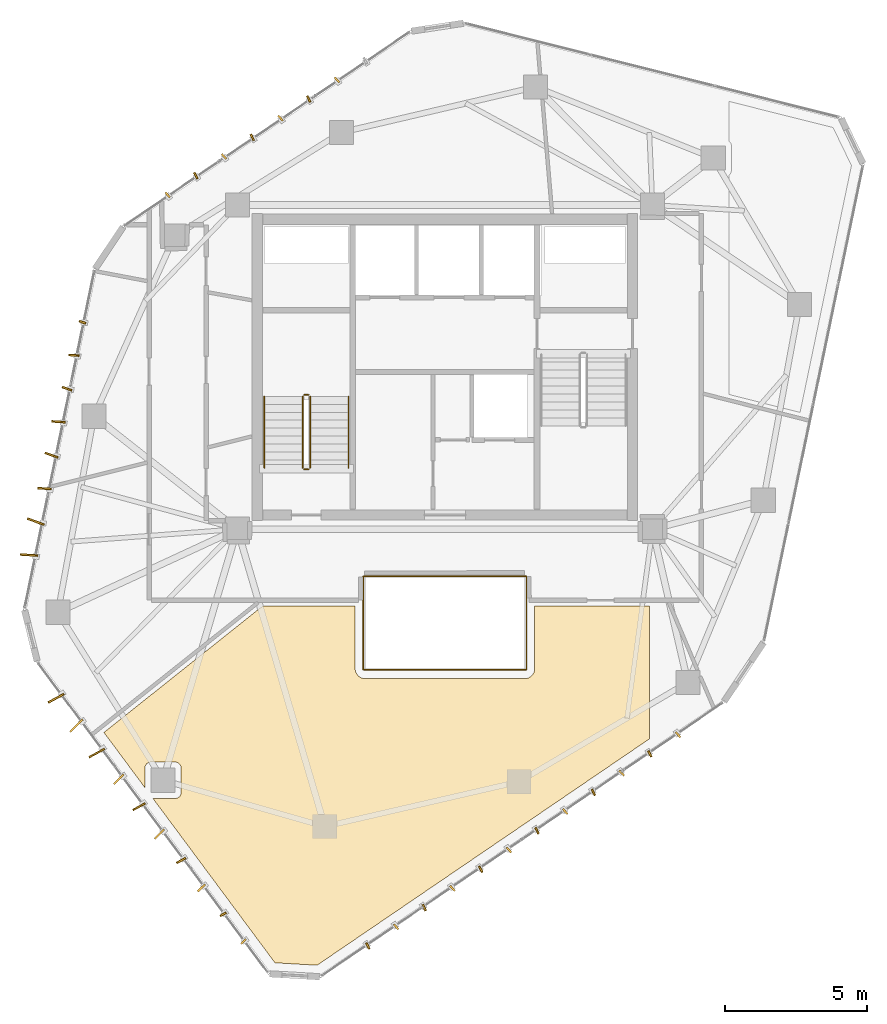
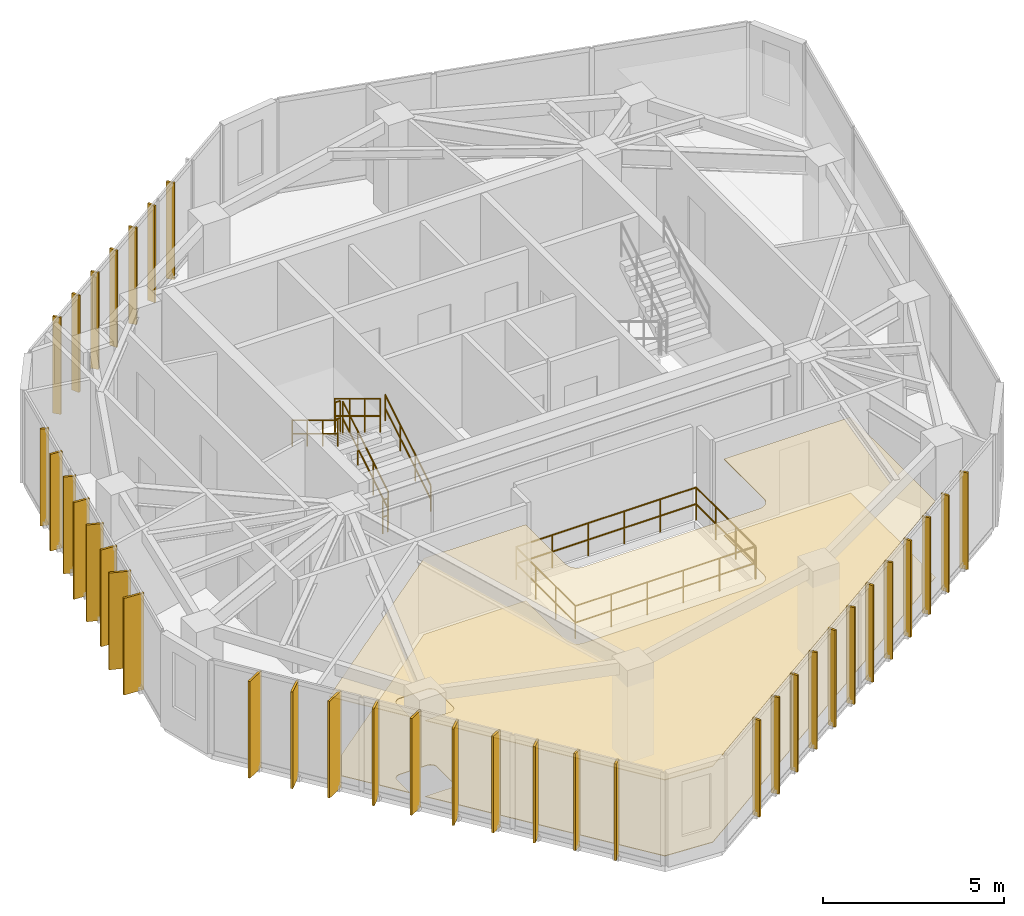
# One storey, part 19 of 20: 37 shading devices, 10 railings, 2 coverings.
"""IFC4 building model written with IfcOpenShell, lengths in metres."""

from ifc_helpers import new_model, si_unit, direction, frame, origin, origin_2d, place, context, subcontext, project, spatial, polyline, rectangle, circle, outline, extrude, source, transform, mapped, material, layer, layer_set, type_object, type_shapes, element, save


model = new_model("IFC4")

# Units and contexts
model_context = context("Model", 3, precision=1e-05, world=origin(), true_north=direction((0.0, 1.0)))
body_context = subcontext(model_context, "Body", "Model", "MODEL_VIEW")
ifc_project = project(units=[si_unit("LENGTHUNIT", "METRE"), si_unit("AREAUNIT", "SQUARE_METRE"), si_unit("VOLUMEUNIT", "CUBIC_METRE"), si_unit("PLANEANGLEUNIT", "RADIAN"), si_unit("MASSUNIT", "GRAM", prefix="KILO")], contexts=[model_context])

# Site, building, storey
site_placement = place(None, origin())
site = spatial("IfcSite", under=ifc_project, at=site_placement, CompositionType="ELEMENT")
building_placement = place(site_placement, origin())
building = spatial("IfcBuilding", under=site, at=building_placement, Name="Talar Marvaseh", CompositionType="ELEMENT")
storey_placement = place(building_placement, frame((0.0, 0.0, 244.199951171875)))
storey = spatial("IfcBuildingStorey", under=building, at=storey_placement, Name="L64", CompositionType="ELEMENT", Elevation=244.199951171875)

# Railings
ifc_material_1 = material(Name="Stainless Steel Grade 316", Category="steel")
railing_type_1 = type_object("IfcRailingType", Name="Brushed Stainless Wall Pitch Handrail 900", PredefinedType="HANDRAIL", material=ifc_material_1)
railing_1_placement = place(storey_placement, frame((22.610107421875, 27.64990234375, 0.170166015625)))
element("IfcRailing", 1, at=railing_1_placement, inside=storey, type_object=railing_type_1, Name="L64 ST-1 stair handrail 1", PredefinedType="HANDRAIL", context=body_context, shape_type="SweptSolid", body=[
    extrude(circle(Radius=0.02392578125, at=origin_2d()), frame((0.0, 0.0, 0.8759765625), z_axis=(0.0, 0.854821627497, 0.518921945155), x_axis=(-1.0, 0.0, 0.0)), (0.0, 0.0, 1.0), 2.947998046875),
    extrude(circle(Radius=0.02392578125, at=origin_2d()), frame((0.0, 0.0, 0.42578125), z_axis=(0.0, 0.854821627497, 0.518921945155), x_axis=(-1.0, 0.0, 0.0)), (0.0, 0.0, 1.0), 2.947998046875),
    extrude(circle(Radius=0.02099609375, at=origin_2d()), origin(), (0.0, 0.0, 1.0), 0.851806640625),
    extrude(circle(Radius=0.02099609375, at=origin_2d()), frame((0.0, 0.840087890625, 0.510009765625)), (0.0, 0.0, 1.0), 0.851806640625),
    extrude(circle(Radius=0.02099609375, at=origin_2d()), frame((0.0, 1.679931640625, 1.019775390625)), (0.0, 0.0, 1.0), 0.851806640625),
    extrude(circle(Radius=0.02099609375, at=origin_2d()), frame((0.0, 2.52001953125, 1.52978515625)), (0.0, 0.0, 1.0), 0.851806640625),
])
railing_2_placement = place(storey_placement, frame((19.64990234375, 30.169921875, 1.8701171875)))
element("IfcRailing", 2, at=railing_2_placement, inside=storey, type_object=railing_type_1, Name="L64 ST-1 stair handrail 2", PredefinedType="HANDRAIL", context=body_context, shape_type="SweptSolid", body=[
    extrude(circle(Radius=0.02392578125, at=origin_2d()), frame((0.0, 0.0, 0.8759765625), z_axis=(0.0, -0.85478489116, 0.518982456201), x_axis=(1.0, 0.0, 0.0)), (0.0, 0.0, 1.0), 2.9482421875),
    extrude(circle(Radius=0.02392578125, at=origin_2d()), frame((0.0, 0.0, 0.42578125), z_axis=(0.0, -0.85478489116, 0.518982456201), x_axis=(1.0, 0.0, 0.0)), (0.0, 0.0, 1.0), 2.9482421875),
    extrude(circle(Radius=0.02099609375, at=origin_2d()), origin(), (0.0, 0.0, 1.0), 0.851806640625),
    extrude(circle(Radius=0.02099609375, at=origin_2d()), frame((0.0, -0.840087890625, 0.510009765625)), (0.0, 0.0, 1.0), 0.851806640625),
    extrude(circle(Radius=0.02099609375, at=origin_2d()), frame((0.0, -1.679931640625, 1.02001953125)), (0.0, 0.0, 1.0), 0.851806640625),
    extrude(circle(Radius=0.02099609375, at=origin_2d()), frame((0.0, -2.52001953125, 1.530029296875)), (0.0, 0.0, 1.0), 0.851806640625),
])
ifc_material_2 = material(Name="Tempered Clear Glass", Category="glass")
railing_type_2 = type_object("IfcRailingType", Name="Interior Atrium Edge Balustrade 1120", PredefinedType="BALUSTRADE", material=ifc_material_2)
railing_3_placement = place(storey_placement, frame((23.130615234375, 20.560302734375, 0.0)))
element("IfcRailing", 3, at=railing_3_placement, inside=storey, type_object=railing_type_2, Name="L64 Internal Daylight Atrium Balustrade 1", PredefinedType="BALUSTRADE", context=body_context, shape_type="SweptSolid", body=[
    extrude(circle(Radius=0.02392578125, at=origin_2d()), frame((0.0, 0.0, 1.09619140625), z_axis=(1.0, 0.0, 0.0), x_axis=(0.0, 1.0, 0.0)), (0.0, 0.0, 1.0), 5.73876953125),
    extrude(circle(Radius=0.02392578125, at=origin_2d()), frame((0.0, 0.0, 0.5361328125), z_axis=(1.0, 0.0, 0.0), x_axis=(0.0, 1.0, 0.0)), (0.0, 0.0, 1.0), 5.73876953125),
    extrude(circle(Radius=0.02099609375, at=origin_2d()), origin(), (0.0, 0.0, 1.0), 1.072021484375),
    extrude(circle(Radius=0.02099609375, at=origin_2d()), frame((1.147705078125, 0.0, 0.0)), (0.0, 0.0, 1.0), 1.072021484375),
    extrude(circle(Radius=0.02099609375, at=origin_2d()), frame((2.29541015625, 0.0, 0.0)), (0.0, 0.0, 1.0), 1.072021484375),
    extrude(circle(Radius=0.02099609375, at=origin_2d()), frame((3.443359375, 0.0, 0.0)), (0.0, 0.0, 1.0), 1.072021484375),
    extrude(circle(Radius=0.02099609375, at=origin_2d()), frame((4.591064453125, 0.0, 0.0)), (0.0, 0.0, 1.0), 1.072021484375),
    extrude(circle(Radius=0.02099609375, at=origin_2d()), frame((5.73876953125, 0.0, 0.0)), (0.0, 0.0, 1.0), 1.072021484375),
])
railing_4_placement = place(storey_placement, frame((28.869384765625, 20.560302734375, 0.0)))
element("IfcRailing", 4, at=railing_4_placement, inside=storey, type_object=railing_type_2, Name="L64 Internal Daylight Atrium Balustrade 2", PredefinedType="BALUSTRADE", context=body_context, shape_type="SweptSolid", body=[
    extrude(circle(Radius=0.02392578125, at=origin_2d()), frame((0.0, 0.0, 1.09619140625), z_axis=(0.0, 1.0, 0.0), x_axis=(-1.0, 0.0, 0.0)), (0.0, 0.0, 1.0), 3.279296875),
    extrude(circle(Radius=0.02392578125, at=origin_2d()), frame((0.0, 0.0, 0.5361328125), z_axis=(0.0, 1.0, 0.0), x_axis=(-1.0, 0.0, 0.0)), (0.0, 0.0, 1.0), 3.279296875),
    extrude(circle(Radius=0.02099609375, at=origin_2d()), origin(), (0.0, 0.0, 1.0), 1.072021484375),
    extrude(circle(Radius=0.02099609375, at=origin_2d()), frame((0.0, 1.093017578125, 0.0)), (0.0, 0.0, 1.0), 1.072021484375),
    extrude(circle(Radius=0.02099609375, at=origin_2d()), frame((0.0, 2.186279296875, 0.0)), (0.0, 0.0, 1.0), 1.072021484375),
    extrude(circle(Radius=0.02099609375, at=origin_2d()), frame((0.0, 3.279296875, 0.0)), (0.0, 0.0, 1.0), 1.072021484375),
])
railing_5_placement = place(storey_placement, frame((28.869384765625, 23.839599609375, 0.0)))
element("IfcRailing", 5, at=railing_5_placement, inside=storey, type_object=railing_type_2, Name="L64 Internal Daylight Atrium Balustrade 3", PredefinedType="BALUSTRADE", context=body_context, shape_type="SweptSolid", body=[
    extrude(circle(Radius=0.02392578125, at=origin_2d()), frame((0.0, 0.0, 1.09619140625), z_axis=(-1.0, 0.0, 0.0), x_axis=(0.0, -1.0, 0.0)), (0.0, 0.0, 1.0), 5.73876953125),
    extrude(circle(Radius=0.02392578125, at=origin_2d()), frame((0.0, 0.0, 0.5361328125), z_axis=(-1.0, 0.0, 0.0), x_axis=(0.0, -1.0, 0.0)), (0.0, 0.0, 1.0), 5.73876953125),
    extrude(circle(Radius=0.02099609375, at=origin_2d()), origin(), (0.0, 0.0, 1.0), 1.072021484375),
    extrude(circle(Radius=0.02099609375, at=origin_2d()), frame((-1.147705078125, 0.0, 0.0)), (0.0, 0.0, 1.0), 1.072021484375),
    extrude(circle(Radius=0.02099609375, at=origin_2d()), frame((-2.29541015625, 0.0, 0.0)), (0.0, 0.0, 1.0), 1.072021484375),
    extrude(circle(Radius=0.02099609375, at=origin_2d()), frame((-3.443359375, 0.0, 0.0)), (0.0, 0.0, 1.0), 1.072021484375),
    extrude(circle(Radius=0.02099609375, at=origin_2d()), frame((-4.591064453125, 0.0, 0.0)), (0.0, 0.0, 1.0), 1.072021484375),
    extrude(circle(Radius=0.02099609375, at=origin_2d()), frame((-5.73876953125, 0.0, 0.0)), (0.0, 0.0, 1.0), 1.072021484375),
])
railing_6_placement = place(storey_placement, frame((23.130615234375, 23.839599609375, 0.0)))
element("IfcRailing", 6, at=railing_6_placement, inside=storey, type_object=railing_type_2, Name="L64 Internal Daylight Atrium Balustrade 4", PredefinedType="BALUSTRADE", context=body_context, shape_type="SweptSolid", body=[
    extrude(circle(Radius=0.02392578125, at=origin_2d()), frame((0.0, 0.0, 1.09619140625), z_axis=(0.0, -1.0, 0.0), x_axis=(1.0, 0.0, 0.0)), (0.0, 0.0, 1.0), 3.279296875),
    extrude(circle(Radius=0.02392578125, at=origin_2d()), frame((0.0, 0.0, 0.5361328125), z_axis=(0.0, -1.0, 0.0), x_axis=(1.0, 0.0, 0.0)), (0.0, 0.0, 1.0), 3.279296875),
    extrude(circle(Radius=0.02099609375, at=origin_2d()), origin(), (0.0, 0.0, 1.0), 1.072021484375),
    extrude(circle(Radius=0.02099609375, at=origin_2d()), frame((0.0, -1.093017578125, 0.0)), (0.0, 0.0, 1.0), 1.072021484375),
    extrude(circle(Radius=0.02099609375, at=origin_2d()), frame((0.0, -2.186279296875, 0.0)), (0.0, 0.0, 1.0), 1.072021484375),
    extrude(circle(Radius=0.02099609375, at=origin_2d()), frame((0.0, -3.279296875, 0.0)), (0.0, 0.0, 1.0), 1.072021484375),
])
railing_type_3 = type_object("IfcRailingType", Name="Painted Steel Core Stair Well Guardrail 1150", PredefinedType="GUARDRAIL", material=ifc_material_1)
railing_7_placement = place(storey_placement, frame((21.260009765625, 27.64990234375, 0.170166015625)))
element("IfcRailing", 7, at=railing_7_placement, inside=storey, type_object=railing_type_3, Name="L64 ST-1 stair guard 1", PredefinedType="GUARDRAIL", context=body_context, shape_type="SweptSolid", body=[
    extrude(circle(Radius=0.02392578125, at=origin_2d()), frame((0.0, 0.0, 1.1259765625), z_axis=(0.0, 0.854821627497, 0.518921945155), x_axis=(-1.0, 0.0, 0.0)), (0.0, 0.0, 1.0), 2.947998046875),
    extrude(circle(Radius=0.02392578125, at=origin_2d()), frame((0.0, 0.0, 0.55078125), z_axis=(0.0, 0.854821627497, 0.518921945155), x_axis=(-1.0, 0.0, 0.0)), (0.0, 0.0, 1.0), 2.947998046875),
    extrude(circle(Radius=0.02099609375, at=origin_2d()), origin(), (0.0, 0.0, 1.0), 1.101806640625),
    extrude(circle(Radius=0.02099609375, at=origin_2d()), frame((0.0, 0.840087890625, 0.510009765625)), (0.0, 0.0, 1.0), 1.101806640625),
    extrude(circle(Radius=0.02099609375, at=origin_2d()), frame((0.0, 1.679931640625, 1.019775390625)), (0.0, 0.0, 1.0), 1.101806640625),
    extrude(circle(Radius=0.02099609375, at=origin_2d()), frame((0.0, 2.52001953125, 1.52978515625)), (0.0, 0.0, 1.0), 1.101806640625),
])
railing_8_placement = place(storey_placement, frame((21.2099609375, 30.219970703125, 1.699951171875)))
element("IfcRailing", 8, at=railing_8_placement, inside=storey, type_object=railing_type_3, Name="L64 ST-1 stair guard 2", PredefinedType="GUARDRAIL", context=body_context, shape_type="SweptSolid", body=[
    extrude(circle(Radius=0.02392578125, at=origin_2d()), frame((0.0, 0.0, 1.1259765625), z_axis=(-1.0, 0.0, 0.0), x_axis=(0.0, -1.0, 0.0)), (0.0, 0.0, 1.0), 0.159912109375),
    extrude(circle(Radius=0.02392578125, at=origin_2d()), frame((0.0, 0.0, 0.55078125), z_axis=(-1.0, 0.0, 0.0), x_axis=(0.0, -1.0, 0.0)), (0.0, 0.0, 1.0), 0.159912109375),
    extrude(circle(Radius=0.02099609375, at=origin_2d()), origin(), (0.0, 0.0, 1.0), 1.101806640625),
    extrude(circle(Radius=0.02099609375, at=origin_2d()), frame((-0.159912109375, 0.0, 0.0)), (0.0, 0.0, 1.0), 1.101806640625),
])
railing_9_placement = place(storey_placement, frame((21.0, 30.169921875, 1.8701171875)))
element("IfcRailing", 9, at=railing_9_placement, inside=storey, type_object=railing_type_3, Name="L64 ST-1 stair guard 3", PredefinedType="GUARDRAIL", context=body_context, shape_type="SweptSolid", body=[
    extrude(circle(Radius=0.02392578125, at=origin_2d()), frame((0.0, 0.0, 1.1259765625), z_axis=(0.0, -0.85478489116, 0.518982456201), x_axis=(1.0, 0.0, 0.0)), (0.0, 0.0, 1.0), 2.9482421875),
    extrude(circle(Radius=0.02392578125, at=origin_2d()), frame((0.0, 0.0, 0.55078125), z_axis=(0.0, -0.85478489116, 0.518982456201), x_axis=(1.0, 0.0, 0.0)), (0.0, 0.0, 1.0), 2.9482421875),
    extrude(circle(Radius=0.02099609375, at=origin_2d()), origin(), (0.0, 0.0, 1.0), 1.101806640625),
    extrude(circle(Radius=0.02099609375, at=origin_2d()), frame((0.0, -0.840087890625, 0.510009765625)), (0.0, 0.0, 1.0), 1.101806640625),
    extrude(circle(Radius=0.02099609375, at=origin_2d()), frame((0.0, -1.679931640625, 1.02001953125)), (0.0, 0.0, 1.0), 1.101806640625),
    extrude(circle(Radius=0.02099609375, at=origin_2d()), frame((0.0, -2.52001953125, 1.530029296875)), (0.0, 0.0, 1.0), 1.101806640625),
])
railing_10_placement = place(storey_placement, frame((21.2099609375, 27.60009765625, 0.0)))
element("IfcRailing", 10, at=railing_10_placement, inside=storey, type_object=railing_type_3, Name="L64 ST-1 stair guard 4", PredefinedType="GUARDRAIL", context=body_context, shape_type="SweptSolid", body=[
    extrude(circle(Radius=0.02392578125, at=origin_2d()), frame((0.0, 0.0, 1.1259765625), z_axis=(-1.0, 0.0, 0.0), x_axis=(0.0, -1.0, 0.0)), (0.0, 0.0, 1.0), 0.159912109375),
    extrude(circle(Radius=0.02392578125, at=origin_2d()), frame((0.0, 0.0, 0.55078125), z_axis=(-1.0, 0.0, 0.0), x_axis=(0.0, -1.0, 0.0)), (0.0, 0.0, 1.0), 0.159912109375),
    extrude(circle(Radius=0.02099609375, at=origin_2d()), origin(), (0.0, 0.0, 1.0), 1.101806640625),
    extrude(circle(Radius=0.02099609375, at=origin_2d()), frame((-0.159912109375, 0.0, 0.0)), (0.0, 0.0, 1.0), 1.101806640625),
])

# Coverings
ifc_material_3 = material(Name="Mineral Fibre Acoustic Ceiling")
ifc_layer_1 = layer(ifc_material_3, 0.02490234375)
ifc_layer_set_1 = layer_set([ifc_layer_1], Name="Mineral Fibre Acoustic Ceiling")
covering_type_1 = type_object("IfcCoveringType", Name="Perforated Mineral Fibre Acoustic Suspended Ceiling", PredefinedType="CEILING", material=ifc_layer_set_1)
covering_1_placement = place(storey_placement, frame((0.0, 0.0, 2.56005859375)))
element("IfcCovering", 11, at=covering_1_placement, inside=storey, type_object=covering_type_1, Name="L64 Hospitality Tea Pantry Acoustic Ceiling", PredefinedType="CEILING", context=body_context, shape_type="SweptSolid", body=[
    extrude(outline(polyline([(22.840087890625, 22.800048828125), (22.840087890625, 20.60009765625), (22.841064453125, 20.580322265625), (22.843994140625, 20.560791015625), (22.856201171875, 20.499755859375), (22.861572265625, 20.478515625), (22.869384765625, 20.457763671875), (22.87939453125, 20.43798828125), (22.8916015625, 20.419677734375), (22.937744140625, 20.357177734375), (22.9501953125, 20.342041015625), (22.964111328125, 20.328125), (22.9794921875, 20.315673828125), (22.995849609375, 20.3046875), (23.0361328125, 20.280517578125), (23.056396484375, 20.27001953125), (23.07763671875, 20.26171875), (23.099609375, 20.256103515625), (23.160888671875, 20.243896484375), (23.180419921875, 20.240966796875), (23.199951171875, 20.239990234375), (28.800048828125, 20.239990234375), (28.819580078125, 20.240966796875), (28.839111328125, 20.243896484375), (28.900390625, 20.256103515625), (28.919189453125, 20.2607421875), (28.937744140625, 20.267578125), (28.95556640625, 20.27587890625), (28.972412109375, 20.285888671875), (29.0244140625, 20.320556640625), (29.0400390625, 20.332275390625), (29.054443359375, 20.345458984375), (29.067626953125, 20.360107421875), (29.079345703125, 20.375732421875), (29.114013671875, 20.427490234375), (29.124267578125, 20.444580078125), (29.132568359375, 20.462158203125), (29.13916015625, 20.480712890625), (29.143798828125, 20.499755859375), (29.156005859375, 20.560791015625), (29.158935546875, 20.580322265625), (29.159912109375, 20.60009765625), (29.159912109375, 22.800048828125), (33.199951171875, 22.800048828125), (33.199951171875, 18.127197265625), (21.50439453125, 10.161376953125), (20.0234375, 10.247314453125), (15.7275390625, 16.032470703125), (16.522705078125, 16.032470703125), (16.5419921875, 16.033447265625), (16.5615234375, 16.0361328125), (16.58056640625, 16.041015625), (16.598876953125, 16.047607421875), (16.61669921875, 16.055908203125), (16.63330078125, 16.06591796875), (16.649169921875, 16.077392578125), (16.663818359375, 16.090576171875), (16.6767578125, 16.10498046875), (16.6884765625, 16.120849609375), (16.69873046875, 16.137451171875), (16.70703125, 16.1552734375), (16.7138671875, 16.173583984375), (16.718505859375, 16.1923828125), (16.721435546875, 16.2119140625), (16.72265625, 16.2314453125), (16.726806640625, 17.093505859375), (16.72607421875, 17.112060546875), (16.7236328125, 17.130615234375), (16.719482421875, 17.148681640625), (16.71337890625, 17.16650390625), (16.7060546875, 17.18359375), (16.697021484375, 17.199951171875), (16.686279296875, 17.215087890625), (16.67431640625, 17.2294921875), (16.6611328125, 17.24267578125), (16.646240234375, 17.256103515625), (16.632080078125, 17.26806640625), (16.61669921875, 17.2783203125), (16.6005859375, 17.287353515625), (16.58349609375, 17.294921875), (16.56591796875, 17.300537109375), (16.5478515625, 17.3046875), (16.529541015625, 17.30712890625), (16.510986328125, 17.30810546875), (15.650390625, 17.3037109375), (15.630859375, 17.302490234375), (15.611572265625, 17.299560546875), (15.592529296875, 17.294677734375), (15.57421875, 17.2880859375), (15.556396484375, 17.27978515625), (15.539794921875, 17.26953125), (15.524169921875, 17.2578125), (15.509521484375, 17.24462890625), (15.49658203125, 17.22998046875), (15.48486328125, 17.21435546875), (15.474853515625, 17.197509765625), (15.466552734375, 17.179931640625), (15.4599609375, 17.16162109375), (15.455078125, 17.142578125), (15.452392578125, 17.123046875), (15.451416015625, 17.103515625), (15.451416015625, 16.404296875), (14.007080078125, 18.349365234375), (19.59619140625, 22.800048828125), (22.840087890625, 22.800048828125)])), origin(), (0.0, 0.0, 1.0), 0.02490234375),
])
ifc_material_4 = material(Name="Porcelain Stoneware Tile", Category="masonry")
ifc_layer_2 = layer(ifc_material_4, 0.02001953125)
ifc_layer_set_2 = layer_set([ifc_layer_2], Name="Porcelain Stoneware Tile")
covering_type_2 = type_object("IfcCoveringType", Name="Polished Porcelain Stoneware Gallery Flooring", PredefinedType="FLOORING", material=ifc_layer_set_2)
covering_2_placement = place(storey_placement, origin())
element("IfcCovering", 12, at=covering_2_placement, inside=storey, type_object=covering_type_2, Name="L64 Hospitality Tea Pantry Flooring", PredefinedType="FLOORING", context=body_context, shape_type="SweptSolid", body=[
    extrude(outline(polyline([(22.840087890625, 22.800048828125), (22.840087890625, 20.60009765625), (22.841064453125, 20.580322265625), (22.843994140625, 20.560791015625), (22.856201171875, 20.499755859375), (22.861572265625, 20.478515625), (22.869384765625, 20.457763671875), (22.87939453125, 20.43798828125), (22.8916015625, 20.419677734375), (22.937744140625, 20.357177734375), (22.9501953125, 20.342041015625), (22.964111328125, 20.328125), (22.9794921875, 20.315673828125), (22.995849609375, 20.3046875), (23.0361328125, 20.280517578125), (23.056396484375, 20.27001953125), (23.07763671875, 20.26171875), (23.099609375, 20.256103515625), (23.160888671875, 20.243896484375), (23.180419921875, 20.240966796875), (23.199951171875, 20.239990234375), (28.800048828125, 20.239990234375), (28.819580078125, 20.240966796875), (28.839111328125, 20.243896484375), (28.900390625, 20.256103515625), (28.919189453125, 20.2607421875), (28.937744140625, 20.267578125), (28.95556640625, 20.27587890625), (28.972412109375, 20.285888671875), (29.0244140625, 20.320556640625), (29.0400390625, 20.332275390625), (29.054443359375, 20.345458984375), (29.067626953125, 20.360107421875), (29.079345703125, 20.375732421875), (29.114013671875, 20.427490234375), (29.124267578125, 20.444580078125), (29.132568359375, 20.462158203125), (29.13916015625, 20.480712890625), (29.143798828125, 20.499755859375), (29.156005859375, 20.560791015625), (29.158935546875, 20.580322265625), (29.159912109375, 20.60009765625), (29.159912109375, 22.800048828125), (33.199951171875, 22.800048828125), (33.199951171875, 18.127197265625), (21.50439453125, 10.161376953125), (20.0234375, 10.247314453125), (15.7275390625, 16.032470703125), (16.522705078125, 16.032470703125), (16.5419921875, 16.033447265625), (16.5615234375, 16.0361328125), (16.58056640625, 16.041015625), (16.598876953125, 16.047607421875), (16.61669921875, 16.055908203125), (16.63330078125, 16.06591796875), (16.649169921875, 16.077392578125), (16.663818359375, 16.090576171875), (16.6767578125, 16.10498046875), (16.6884765625, 16.120849609375), (16.69873046875, 16.137451171875), (16.70703125, 16.1552734375), (16.7138671875, 16.173583984375), (16.718505859375, 16.1923828125), (16.721435546875, 16.2119140625), (16.72265625, 16.2314453125), (16.726806640625, 17.093505859375), (16.72607421875, 17.112060546875), (16.7236328125, 17.130615234375), (16.719482421875, 17.148681640625), (16.71337890625, 17.16650390625), (16.7060546875, 17.18359375), (16.697021484375, 17.199951171875), (16.686279296875, 17.215087890625), (16.67431640625, 17.2294921875), (16.6611328125, 17.24267578125), (16.646240234375, 17.256103515625), (16.632080078125, 17.26806640625), (16.61669921875, 17.2783203125), (16.6005859375, 17.287353515625), (16.58349609375, 17.294921875), (16.56591796875, 17.300537109375), (16.5478515625, 17.3046875), (16.529541015625, 17.30712890625), (16.510986328125, 17.30810546875), (15.650390625, 17.3037109375), (15.630859375, 17.302490234375), (15.611572265625, 17.299560546875), (15.592529296875, 17.294677734375), (15.57421875, 17.2880859375), (15.556396484375, 17.27978515625), (15.539794921875, 17.26953125), (15.524169921875, 17.2578125), (15.509521484375, 17.24462890625), (15.49658203125, 17.22998046875), (15.48486328125, 17.21435546875), (15.474853515625, 17.197509765625), (15.466552734375, 17.179931640625), (15.4599609375, 17.16162109375), (15.455078125, 17.142578125), (15.452392578125, 17.123046875), (15.451416015625, 17.103515625), (15.451416015625, 16.404296875), (14.007080078125, 18.349365234375), (19.59619140625, 22.800048828125), (22.840087890625, 22.800048828125)])), origin(), (0.0, 0.0, 1.0), 0.02001953125),
])

# Shading devices
ifc_material_5 = material(Name="Anodised Champagne Bronze Aluminium", Category="aluminium")
ifc_layer_3 = layer(ifc_material_5, 0.06494140625)
ifc_layer_set_3 = layer_set([ifc_layer_3], Name="Anodised Champagne Bronze Aluminium")
shading_device_type_1 = type_object("IfcShadingDeviceType", Name="Sawtooth Champagne Bronze Vertical Fin 240", PredefinedType="USERDEFINED", material=ifc_layer_set_3)
shared_shape_1 = source(origin(), body_context, "Body", "SweptSolid", [
    extrude(rectangle(XDim=0.239990234375, YDim=0.06494140625, at=origin_2d()), origin(), (0.0, 0.0, 1.0), 3.260009765625),
])
type_shapes(shading_device_type_1, [shared_shape_1])
for number, where, z_axis, x_axis, name in (
    (13, (18.916015625, 10.992431640625, -0.1201171875), (0.0, 0.0, 1.0), (-0.712026045991, -0.702153052995, 0.0), "L64 Sawtooth Vertical Solar Fin"),
    (14, (18.200439453125, 11.955810546875, -0.1201171875), (0.0, 0.0, 1.0), (-0.877982975428, -0.478691857941, 0.0), "L64 Sawtooth Vertical Solar Fin"),
    (15, (13.254638671875, 32.777099609375, -0.1201171875), (0.0, 0.0, 1.0), (-0.941588155895, 0.336766602676, 0.0), "L64 Sawtooth Vertical Solar Fin"),
    (16, (16.247314453125, 37.255859375, -0.1201171875), (0.0, 0.0, 1.0), (-0.671461958818, 0.741039025868, 0.0), "L64 Sawtooth Vertical Solar Fin"),
    (17, (17.239990234375, 37.929931640625, -0.1201171875), (0.0, 0.0, 1.0), (-0.441192623644, 0.897412429623, 0.0), "L64 Sawtooth Vertical Solar Fin"),
    (18, (18.232666015625, 38.604248046875, -0.1201171875), (0.0, 0.0, 1.0), (-0.671461958818, 0.741039025868, 0.0), "L64 Sawtooth Vertical Solar Fin"),
    (19, (19.225341796875, 39.2783203125, -0.1201171875), (0.0, 0.0, 1.0), (-0.441192623644, 0.897412429623, 0.0), "L64 Sawtooth Vertical Solar Fin"),
    (20, (20.218017578125, 39.95263671875, -0.1201171875), (0.0, 0.0, 1.0), (-0.671461958818, 0.741039025868, 0.0), "L64 Sawtooth Vertical Solar Fin"),
    (21, (21.210693359375, 40.626708984375, -0.1201171875), (0.0, 0.0, 1.0), (-0.441192623644, 0.897412429623, 0.0), "L64 Sawtooth Vertical Solar Fin"),
    (22, (22.20361328125, 41.30078125, -0.1201171875), (0.0, 0.0, 1.0), (-0.671461958818, 0.741039025868, 0.0), "L64 Sawtooth Vertical Solar Fin"),
    (23, (34.199462890625, 18.26953125, -0.1201171875), (0.0, 0.0, 1.0), (0.672495989628, -0.740100766068, 0.0), "L64 Sawtooth Vertical Solar Fin"),
    (24, (33.20751953125, 17.593994140625, -0.1201171875), (0.0, 0.0, 1.0), (0.442445217305, -0.896795533934, 0.0), "L64 Sawtooth Vertical Solar Fin"),
    (25, (32.2158203125, 16.91845703125, -0.1201171875), (0.0, 0.0, 1.0), (0.672495989628, -0.740100766068, 0.0), "L64 Sawtooth Vertical Solar Fin"),
    (26, (31.22412109375, 16.242919921875, -0.1201171875), (0.0, 0.0, 1.0), (0.442445217305, -0.896795533934, 0.0), "L64 Sawtooth Vertical Solar Fin"),
    (27, (30.232177734375, 15.5673828125, -0.1201171875), (0.0, 0.0, 1.0), (0.672495989628, -0.740100766068, 0.0), "L64 Sawtooth Vertical Solar Fin"),
    (28, (29.240478515625, 14.891845703125, -0.1201171875), (0.0, 0.0, 1.0), (0.442445217305, -0.896795533934, 0.0), "L64 Sawtooth Vertical Solar Fin"),
    (29, (28.24853515625, 14.21630859375, -0.1201171875), (0.0, 0.0, 1.0), (0.672495989628, -0.740100766068, 0.0), "L64 Sawtooth Vertical Solar Fin"),
    (30, (27.2568359375, 13.541015625, -0.1201171875), (0.0, 0.0, 1.0), (0.442445217305, -0.896795533934, 0.0), "L64 Sawtooth Vertical Solar Fin"),
    (31, (26.264892578125, 12.865478515625, -0.1201171875), (0.0, 0.0, 1.0), (0.672495989628, -0.740100766068, 0.0), "L64 Sawtooth Vertical Solar Fin"),
    (32, (25.273193359375, 12.189697265625, -0.1201171875), (0.0, 0.0, 1.0), (0.442445217305, -0.896795533934, 0.0), "L64 Sawtooth Vertical Solar Fin"),
    (33, (24.281494140625, 11.514404296875, -0.1201171875), (0.0, 0.0, 1.0), (0.672495989628, -0.740100766068, 0.0), "L64 Sawtooth Vertical Solar Fin"),
    (34, (23.28955078125, 10.8388671875, -0.1201171875), (0.0, 0.0, 1.0), (0.442445217305, -0.896795533934, 0.0), "L64 Sawtooth Vertical Solar Fin"),
):
    element("IfcShadingDevice", number, at=place(storey_placement, frame(where, z_axis=z_axis, x_axis=x_axis)), inside=storey, type_object=shading_device_type_1, Name=name, ObjectType="FIN", PredefinedType="USERDEFINED", context=body_context, shape_type="MappedRepresentation", body=[
        mapped(shared_shape_1, transform((0.0, 0.0, 0.0), x_axis=(1.0, 0.0, 0.0), y_axis=(0.0, 1.0, 0.0), z_axis=(0.0, 0.0, 1.0), scale=1.0)),
    ])
ifc_layer_4 = layer(ifc_material_5, 0.06494140625)
ifc_layer_set_4 = layer_set([ifc_layer_4], Name="Anodised Champagne Bronze Aluminium")
shading_device_type_2 = type_object("IfcShadingDeviceType", Name="Sawtooth Champagne Bronze Vertical Fin 360", PredefinedType="USERDEFINED", material=ifc_layer_set_4)
shared_shape_2 = source(origin(), body_context, "Body", "SweptSolid", [
    extrude(rectangle(XDim=0.360107421875, YDim=0.06494140625, at=origin_2d()), origin(), (0.0, 0.0, 1.0), 3.260009765625),
])
type_shapes(shading_device_type_2, [shared_shape_2])
for number, where, z_axis, x_axis, name in (
    (35, (17.43701171875, 12.883544921875, -0.1201171875), (0.0, 0.0, 1.0), (-0.712026045991, -0.702153052995, 0.0), "L64 Sawtooth Vertical Solar Fin"),
    (36, (16.721435546875, 13.846923828125, -0.1201171875), (0.0, 0.0, 1.0), (-0.877982975428, -0.478691857941, 0.0), "L64 Sawtooth Vertical Solar Fin"),
    (37, (12.7099609375, 30.438720703125, -0.1201171875), (0.0, 0.0, 1.0), (-0.941588155895, 0.336766602676, 0.0), "L64 Sawtooth Vertical Solar Fin"),
    (38, (12.952880859375, 31.614013671875, -0.1201171875), (0.0, 0.0, 1.0), (-0.9979380835, 0.064183966065, 0.0), "L64 Sawtooth Vertical Solar Fin"),
):
    element("IfcShadingDevice", number, at=place(storey_placement, frame(where, z_axis=z_axis, x_axis=x_axis)), inside=storey, type_object=shading_device_type_2, Name=name, ObjectType="FIN", PredefinedType="USERDEFINED", context=body_context, shape_type="MappedRepresentation", body=[
        mapped(shared_shape_2, transform((0.0, 0.0, 0.0), x_axis=(1.0, 0.0, 0.0), y_axis=(0.0, 1.0, 0.0), z_axis=(0.0, 0.0, 1.0), scale=1.0)),
    ])
ifc_layer_5 = layer(ifc_material_5, 0.06494140625)
ifc_layer_set_5 = layer_set([ifc_layer_5], Name="Anodised Champagne Bronze Aluminium")
shading_device_type_3 = type_object("IfcShadingDeviceType", Name="Sawtooth Champagne Bronze Vertical Fin 480", PredefinedType="USERDEFINED", material=ifc_layer_set_5)
shared_shape_3 = source(origin(), body_context, "Body", "SweptSolid", [
    extrude(rectangle(XDim=0.47998046875, YDim=0.06494140625, at=origin_2d()), origin(), (0.0, 0.0, 1.0), 3.260009765625),
])
type_shapes(shading_device_type_3, [shared_shape_3])
for number, where, z_axis, x_axis, name in (
    (39, (15.9580078125, 14.774658203125, -0.1201171875), (0.0, 0.0, 1.0), (-0.712026045991, -0.702153052995, 0.0), "L64 Sawtooth Vertical Solar Fin"),
    (40, (15.242431640625, 15.738037109375, -0.1201171875), (0.0, 0.0, 1.0), (-0.877982975428, -0.478691857941, 0.0), "L64 Sawtooth Vertical Solar Fin"),
    (41, (14.527099609375, 16.701416015625, -0.1201171875), (0.0, 0.0, 1.0), (-0.712026045991, -0.702153052995, 0.0), "L64 Sawtooth Vertical Solar Fin"),
    (42, (11.922119140625, 26.925537109375, -0.1201171875), (0.0, 0.0, 1.0), (-0.9979380835, 0.064183966065, 0.0), "L64 Sawtooth Vertical Solar Fin"),
    (43, (12.165283203125, 28.1005859375, -0.1201171875), (0.0, 0.0, 1.0), (-0.941588155895, 0.336766602676, 0.0), "L64 Sawtooth Vertical Solar Fin"),
    (44, (12.408203125, 29.27587890625, -0.1201171875), (0.0, 0.0, 1.0), (-0.9979380835, 0.064183966065, 0.0), "L64 Sawtooth Vertical Solar Fin"),
):
    element("IfcShadingDevice", number, at=place(storey_placement, frame(where, z_axis=z_axis, x_axis=x_axis)), inside=storey, type_object=shading_device_type_3, Name=name, ObjectType="FIN", PredefinedType="USERDEFINED", context=body_context, shape_type="MappedRepresentation", body=[
        mapped(shared_shape_3, transform((0.0, 0.0, 0.0), x_axis=(1.0, 0.0, 0.0), y_axis=(0.0, 1.0, 0.0), z_axis=(0.0, 0.0, 1.0), scale=1.0)),
    ])
ifc_layer_6 = layer(ifc_material_5, 0.06494140625)
ifc_layer_set_6 = layer_set([ifc_layer_6], Name="Anodised Champagne Bronze Aluminium")
shading_device_type_4 = type_object("IfcShadingDeviceType", Name="Sawtooth Champagne Bronze Vertical Fin 620", PredefinedType="USERDEFINED", material=ifc_layer_set_6)
shared_shape_4 = source(origin(), body_context, "Body", "SweptSolid", [
    extrude(rectangle(XDim=0.6201171875, YDim=0.06494140625, at=origin_2d()), origin(), (0.0, 0.0, 1.0), 3.260009765625),
])
type_shapes(shading_device_type_4, [shared_shape_4])
for number, where, z_axis, x_axis, name in (
    (45, (13.755615234375, 17.623046875, -0.1201171875), (0.0, 0.0, 1.0), (-0.877982975428, -0.478691857941, 0.0), "L64 Sawtooth Vertical Solar Fin"),
    (46, (13.0400390625, 18.586669921875, -0.1201171875), (0.0, 0.0, 1.0), (-0.712026045991, -0.702153052995, 0.0), "L64 Sawtooth Vertical Solar Fin"),
    (47, (12.32470703125, 19.550048828125, -0.1201171875), (0.0, 0.0, 1.0), (-0.877982975428, -0.478691857941, 0.0), "L64 Sawtooth Vertical Solar Fin"),
    (48, (11.36767578125, 24.58935546875, -0.1201171875), (0.0, 0.0, 1.0), (-0.9979380835, 0.064183966065, 0.0), "L64 Sawtooth Vertical Solar Fin"),
    (49, (11.610595703125, 25.7646484375, -0.1201171875), (0.0, 0.0, 1.0), (-0.941588155895, 0.336766602676, 0.0), "L64 Sawtooth Vertical Solar Fin"),
):
    element("IfcShadingDevice", number, at=place(storey_placement, frame(where, z_axis=z_axis, x_axis=x_axis)), inside=storey, type_object=shading_device_type_4, Name=name, ObjectType="FIN", PredefinedType="USERDEFINED", context=body_context, shape_type="MappedRepresentation", body=[
        mapped(shared_shape_4, transform((0.0, 0.0, 0.0), x_axis=(1.0, 0.0, 0.0), y_axis=(0.0, 1.0, 0.0), z_axis=(0.0, 0.0, 1.0), scale=1.0)),
    ])

save(model, "model.ifc")
